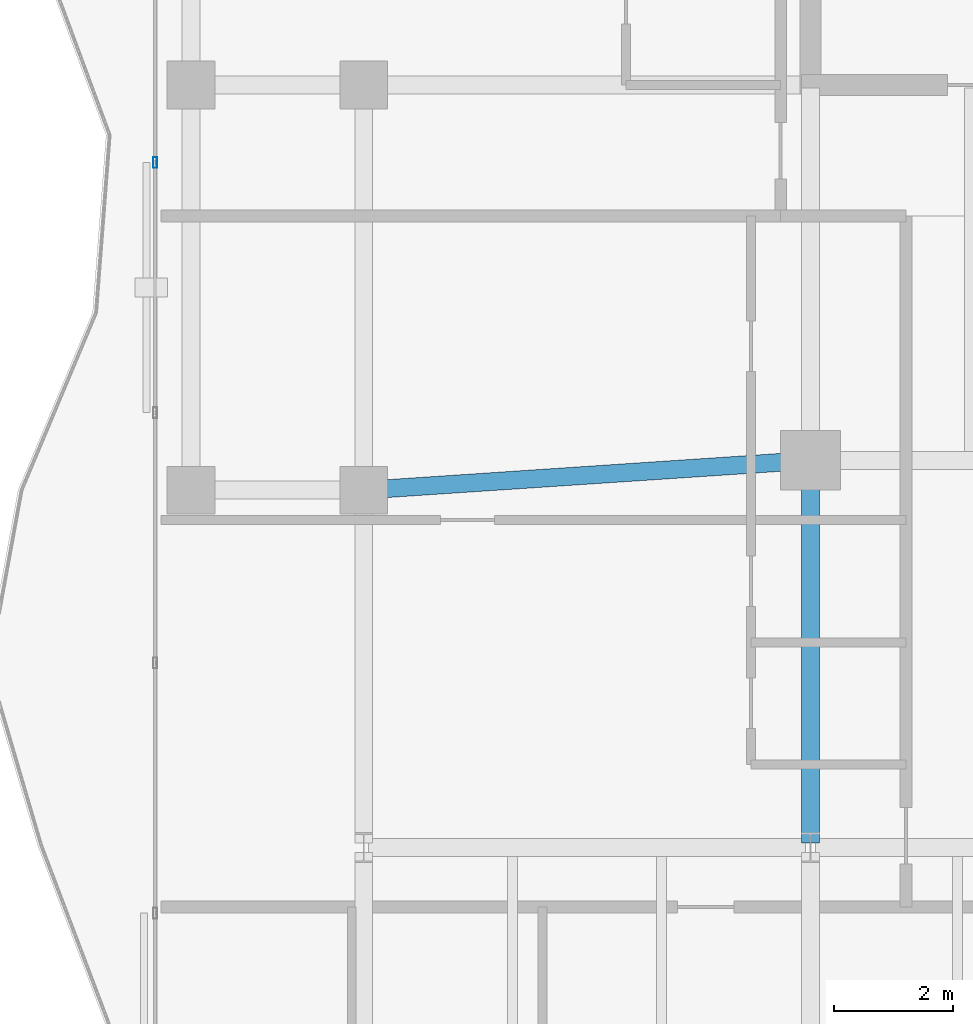
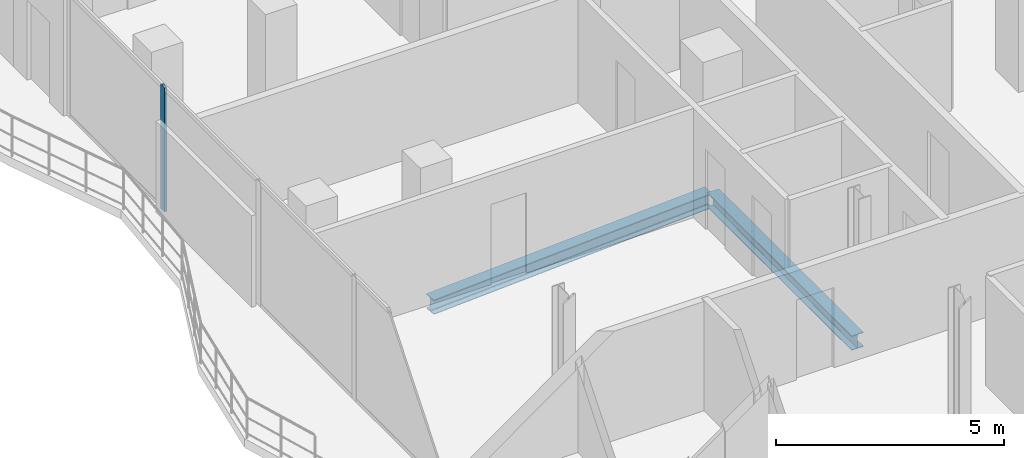
# One storey, part 8 of 24: 2 beams, 1 member, 1 element without a shape of its own.
"""IFC4 building model written with IfcOpenShell, lengths in metres."""

from ifc_helpers import new_model, si_unit, direction, frame, origin, origin_2d, place, context, subcontext, project, spatial, hollow_rectangle, i_section, extrude, material, layer, layer_set, material_profile, profile_set, type_object, element, aggregate, save


model = new_model("IFC4")

# Units and contexts
model_context = context("Model", 3, precision=1e-05, world=origin(), true_north=direction((0.0, 1.0)))
body_context = subcontext(model_context, "Body", "Model", "MODEL_VIEW")
ifc_project = project(units=[si_unit("LENGTHUNIT", "METRE"), si_unit("AREAUNIT", "SQUARE_METRE"), si_unit("VOLUMEUNIT", "CUBIC_METRE"), si_unit("PLANEANGLEUNIT", "RADIAN"), si_unit("MASSUNIT", "GRAM", prefix="KILO")], contexts=[model_context])

# Site, building, storey
site_placement = place(None, origin())
site = spatial("IfcSite", under=ifc_project, at=site_placement, CompositionType="ELEMENT")
building_placement = place(site_placement, origin())
building = spatial("IfcBuilding", under=site, at=building_placement, Name="Catumbela Crestline Tower", CompositionType="ELEMENT")
storey_placement = place(building_placement, frame((0.0, 0.0, 154.2)))
storey = spatial("IfcBuildingStorey", under=building, at=storey_placement, Name="L39", CompositionType="ELEMENT", Elevation=154.2)

# Beams
ifc_material_1 = material(Name="Structural steel S355J2", Category="steel")
ifc_material_profile_1 = material_profile(ifc_material_1, i_section(OverallWidth=0.3, OverallDepth=0.39, WebThickness=0.011, FlangeThickness=0.019, FilletRadius=0.027, at=origin_2d()), Name="HEA 400")
ifc_profile_set_1 = profile_set([ifc_material_profile_1], Name="Structural steel S355J2")
beam_type = type_object("IfcBeamType", Name="BG-HEA400", PredefinedType="BEAM", material=ifc_profile_set_1)
beam_1_placement = place(storey_placement, frame((8.5798, 24.0053, -0.455), z_axis=(0.997784796964, 0.066524423687, 0.0), x_axis=(-0.066524423687, 0.997784796964, 0.0)))
element("IfcBeam", 1, at=beam_1_placement, inside=storey, type_object=beam_type, Name="L39 Beam BM-L39-S02", PredefinedType="BEAM", context=body_context, shape_type="SweptSolid", body=[
    extrude(i_section(OverallWidth=0.3, OverallDepth=0.39, WebThickness=0.011, FlangeThickness=0.019, FilletRadius=0.027, at=origin_2d()), origin(), (0.0, 0.0, 1.0), 7.3567),
])
beam_2_placement = place(storey_placement, frame((16.0, 18.08, -0.455), z_axis=(0.0, 1.0, 0.0), x_axis=(-1.0, 0.0, 0.0)))
element("IfcBeam", 2, at=beam_2_placement, inside=storey, type_object=beam_type, Name="L39 Beam BM-L39-WNS42", PredefinedType="BEAM", context=body_context, shape_type="SweptSolid", body=[
    extrude(i_section(OverallWidth=0.3, OverallDepth=0.39, WebThickness=0.011, FlangeThickness=0.019, FilletRadius=0.027, at=origin_2d()), origin(), (0.0, 0.0, 1.0), 6.34),
])

# Curtain wall, member
ifc_material_2 = material(Name="Aluminium alloy AW-6060-T66", Category="aluminium")
ifc_layer = layer(ifc_material_2, 0.18, Name="Aluminium alloy AW-6060-T66")
ifc_layer_set = layer_set([ifc_layer], Name="Aluminium alloy AW-6060-T66")
curtain_wall_type = type_object("IfcCurtainWallType", Name="CWU-Z3", PredefinedType="USERDEFINED", material=ifc_layer_set)
curtain_wall_placement = place(storey_placement, origin())
curtain_wall = element("IfcCurtainWall", 3, at=curtain_wall_placement, inside=storey, type_object=curtain_wall_type, Name="L39 Unitised Curtain Wall CW-L39-E9S2", ObjectType="UNITISED", PredefinedType="USERDEFINED")
ifc_material_profile_2 = material_profile(ifc_material_2, hollow_rectangle(XDim=0.065, YDim=0.18, WallThickness=0.004, at=origin_2d()), Name="ALU 180x65x4")
ifc_profile_set_2 = profile_set([ifc_material_profile_2], Name="Aluminium alloy AW-6060-T66")
member_type = type_object("IfcMemberType", Name="MUL-180X65", PredefinedType="MULLION", material=ifc_profile_set_2)
member_placement = place(storey_placement, frame((5.0, 29.5, 0.0), z_axis=(0.0, 0.0, 1.0), x_axis=(1.0, 0.0, 0.0)))
member = element("IfcMember", 4, at=member_placement, type_object=member_type, Name="CWU-Z3 mullion 2", PredefinedType="MULLION", context=body_context, shape_type="SweptSolid", body=[
    extrude(hollow_rectangle(XDim=0.065, YDim=0.18, WallThickness=0.004, at=origin_2d()), origin(), (0.0, 0.0, 1.0), 3.33),
])
aggregate(curtain_wall, [member])

save(model, "model.ifc")
